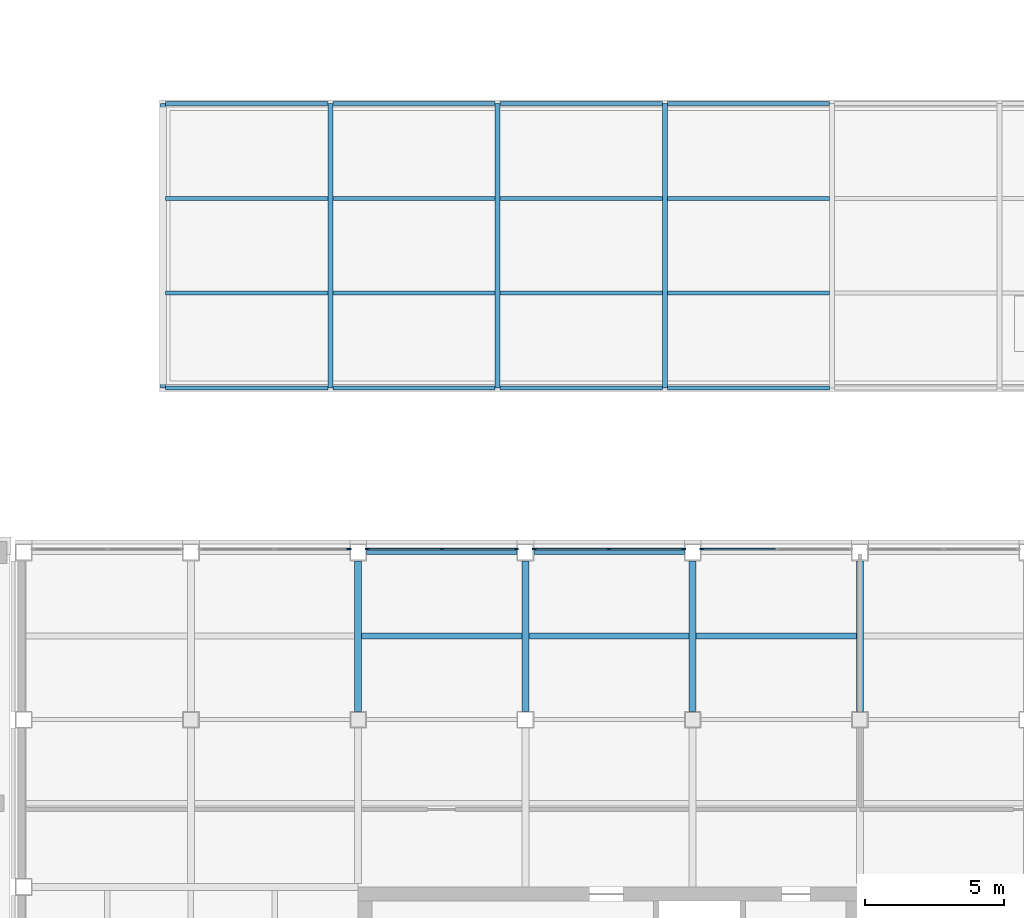
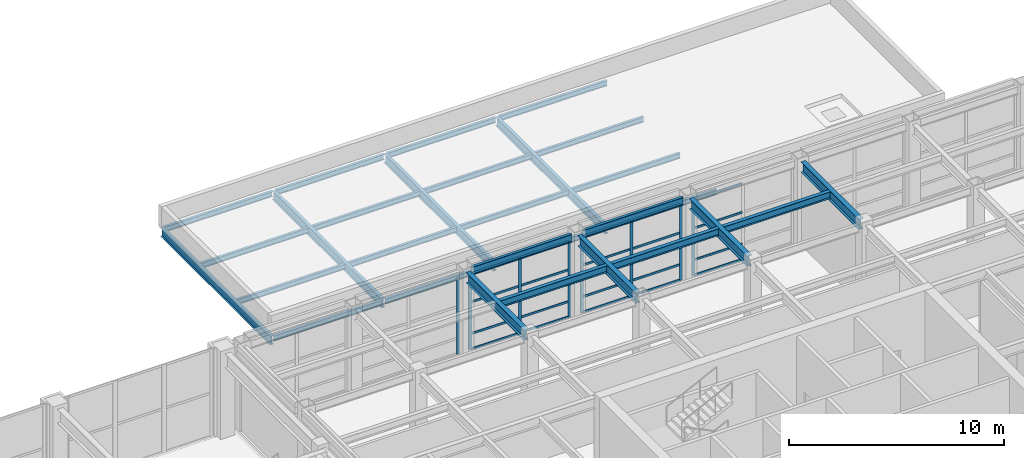
# One storey, part 25 of 67: 29 beams, 28 members, 4 elements without a shape of their own.
"""IFC4 building model written with IfcOpenShell, lengths in metres."""

from ifc_helpers import new_model, si_unit, direction, frame, origin, origin_2d, place, context, subcontext, project, spatial, rectangle, i_section, extrude, material, material_profile, profile_set, type_object, element, aggregate, save


model = new_model("IFC4")

# Units and contexts
model_context = context("Model", 3, precision=1e-05, world=origin(), true_north=direction((0.0, 1.0)))
body_context = subcontext(model_context, "Body", "Model", "MODEL_VIEW")
ifc_project = project(units=[si_unit("LENGTHUNIT", "METRE"), si_unit("AREAUNIT", "SQUARE_METRE"), si_unit("VOLUMEUNIT", "CUBIC_METRE"), si_unit("PLANEANGLEUNIT", "RADIAN"), si_unit("MASSUNIT", "GRAM", prefix="KILO")], contexts=[model_context])

# Site, building, storey
site_placement = place(None, origin())
site = spatial("IfcSite", under=ifc_project, at=site_placement, CompositionType="ELEMENT")
building_placement = place(site_placement, origin())
building = spatial("IfcBuilding", under=site, at=building_placement, Name="Aravalli Gate Trade Fair Centre", CompositionType="ELEMENT")
storey_placement = place(building_placement, frame((0.0, 0.0, 5.0)))
storey = spatial("IfcBuildingStorey", under=building, at=storey_placement, Name="L01", CompositionType="ELEMENT", Elevation=5.0)

# Beams
ifc_material_1 = material(Name="Steel E350", Category="steel")
ifc_material_profile_1 = material_profile(ifc_material_1, i_section(OverallWidth=0.179931640625, OverallDepth=0.5, WebThickness=0.01025390625, FlangeThickness=0.01708984375, at=origin_2d()), Name="ISMB 500")
ifc_profile_set_1 = profile_set([ifc_material_profile_1], Name="Steel E350")
beam_type_1 = type_object("IfcBeamType", Name="Pavilion roof girder ISMB 500", PredefinedType="BEAM", material=ifc_profile_set_1)
for number, where, z_axis, x_axis, name in (
    (1, (165.0, 138.89990234375, -0.39990234375), (0.0, 1.0, 0.0), (-1.0, 0.0, 0.0), "Pavilion roof girder 1"),
    (2, (171.0, 138.89990234375, -0.39990234375), (0.0, 1.0, 0.0), (-1.0, 0.0, 0.0), "Pavilion roof girder 2"),
    (3, (177.0, 138.89990234375, -0.39990234375), (0.0, 1.0, 0.0), (-1.0, 0.0, 0.0), "Pavilion roof girder 3"),
    (4, (183.0, 138.89990234375, -0.39990234375), (0.0, 1.0, 0.0), (-1.0, 0.0, 0.0), "Pavilion roof girder 4"),
):
    element("IfcBeam", number, at=place(storey_placement, frame(where, z_axis=z_axis, x_axis=x_axis)), inside=storey, type_object=beam_type_1, Name=name, PredefinedType="BEAM", context=body_context, shape_type="SweptSolid", body=[
        extrude(i_section(OverallWidth=0.179931640625, OverallDepth=0.5, WebThickness=0.01025390625, FlangeThickness=0.01708984375, at=origin_2d()), origin(), (0.0, 0.0, 1.0), 10.2001953125),
    ])
ifc_material_profile_2 = material_profile(ifc_material_1, i_section(OverallWidth=0.139892578125, OverallDepth=0.300048828125, WebThickness=0.0078125, FlangeThickness=0.01318359375, at=origin_2d()), Name="ISMB 300")
ifc_profile_set_2 = profile_set([ifc_material_profile_2], Name="Steel E350")
beam_type_2 = type_object("IfcBeamType", Name="Pavilion roof joist ISMB 300", PredefinedType="BEAM", material=ifc_profile_set_2)
for number, where, z_axis, x_axis, name in (
    (5, (165.090087890625, 138.89990234375, -0.300048828125), (1.0, 0.0, 0.0), (0.0, 1.0, 0.0), "Pavilion roof joist 1.1"),
    (6, (171.090087890625, 138.89990234375, -0.300048828125), (1.0, 0.0, 0.0), (0.0, 1.0, 0.0), "Pavilion roof joist 1.2"),
    (7, (177.090087890625, 138.89990234375, -0.300048828125), (1.0, 0.0, 0.0), (0.0, 1.0, 0.0), "Pavilion roof joist 1.3"),
    (8, (183.090087890625, 138.89990234375, -0.300048828125), (1.0, 0.0, 0.0), (0.0, 1.0, 0.0), "Pavilion roof joist 1.4"),
    (9, (165.090087890625, 142.300048828125, -0.300048828125), (1.0, 0.0, 0.0), (0.0, 1.0, 0.0), "Pavilion roof joist 2.1"),
    (10, (171.090087890625, 142.300048828125, -0.300048828125), (1.0, 0.0, 0.0), (0.0, 1.0, 0.0), "Pavilion roof joist 2.2"),
    (11, (177.090087890625, 142.300048828125, -0.300048828125), (1.0, 0.0, 0.0), (0.0, 1.0, 0.0), "Pavilion roof joist 2.3"),
    (12, (183.090087890625, 142.300048828125, -0.300048828125), (1.0, 0.0, 0.0), (0.0, 1.0, 0.0), "Pavilion roof joist 2.4"),
    (13, (165.090087890625, 145.699951171875, -0.300048828125), (1.0, 0.0, 0.0), (0.0, 1.0, 0.0), "Pavilion roof joist 3.1"),
    (14, (171.090087890625, 145.699951171875, -0.300048828125), (1.0, 0.0, 0.0), (0.0, 1.0, 0.0), "Pavilion roof joist 3.2"),
    (15, (177.090087890625, 145.699951171875, -0.300048828125), (1.0, 0.0, 0.0), (0.0, 1.0, 0.0), "Pavilion roof joist 3.3"),
    (16, (183.090087890625, 145.699951171875, -0.300048828125), (1.0, 0.0, 0.0), (0.0, 1.0, 0.0), "Pavilion roof joist 3.4"),
    (17, (165.090087890625, 149.10009765625, -0.300048828125), (1.0, 0.0, 0.0), (0.0, 1.0, 0.0), "Pavilion roof joist 4.1"),
    (18, (171.090087890625, 149.10009765625, -0.300048828125), (1.0, 0.0, 0.0), (0.0, 1.0, 0.0), "Pavilion roof joist 4.2"),
    (19, (177.090087890625, 149.10009765625, -0.300048828125), (1.0, 0.0, 0.0), (0.0, 1.0, 0.0), "Pavilion roof joist 4.3"),
    (20, (183.090087890625, 149.10009765625, -0.300048828125), (1.0, 0.0, 0.0), (0.0, 1.0, 0.0), "Pavilion roof joist 4.4"),
):
    element("IfcBeam", number, at=place(storey_placement, frame(where, z_axis=z_axis, x_axis=x_axis)), inside=storey, type_object=beam_type_2, Name=name, PredefinedType="BEAM", context=body_context, shape_type="SweptSolid", body=[
        extrude(i_section(OverallWidth=0.139892578125, OverallDepth=0.300048828125, WebThickness=0.0078125, FlangeThickness=0.01318359375, at=origin_2d()), origin(), (0.0, 0.0, 1.0), 5.81982421875),
    ])
ifc_material_profile_3 = material_profile(ifc_material_1, i_section(OverallWidth=0.25, OverallDepth=0.60009765625, WebThickness=0.01123046875, FlangeThickness=0.021240234375, at=origin_2d()), Name="ISWB 600")
ifc_profile_set_3 = profile_set([ifc_material_profile_3], Name="Steel E350")
beam_type_3 = type_object("IfcBeamType", Name="Wing core to perimeter girder ISWB 600 (podium floors)", PredefinedType="BEAM", material=ifc_profile_set_3)
for number, where, z_axis, x_axis, name in (
    (21, (172.0, 127.300048828125, 4.5), (0.0, 1.0, 0.0), (-1.0, 0.0, 0.0), "Core to perimeter girder PN0b L02"),
    (22, (178.0, 127.300048828125, 4.5), (0.0, 1.0, 0.0), (-1.0, 0.0, 0.0), "Core to perimeter girder PN1b L02"),
    (23, (184.0, 127.300048828125, 4.5), (0.0, 1.0, 0.0), (-1.0, 0.0, 0.0), "Core to perimeter girder PN2b L02"),
    (24, (190.0, 127.300048828125, 4.5), (0.0, 1.0, 0.0), (-1.0, 0.0, 0.0), "Core to perimeter girder PN3b L02"),
):
    element("IfcBeam", number, at=place(storey_placement, frame(where, z_axis=z_axis, x_axis=x_axis)), inside=storey, type_object=beam_type_3, Name=name, PredefinedType="BEAM", context=body_context, shape_type="SweptSolid", body=[
        extrude(i_section(OverallWidth=0.25, OverallDepth=0.60009765625, WebThickness=0.01123046875, FlangeThickness=0.021240234375, at=origin_2d()), origin(), (0.0, 0.0, 1.0), 5.39990234375),
    ])

# Curtain wall, member
ifc_material_2 = material(Name="Aluminium and glass", Category="aluminium")
curtain_wall_type = type_object("IfcCurtainWallType", Name="Wing curtain wall", PredefinedType="NOTDEFINED", material=ifc_material_2)
curtain_wall_1_placement = place(storey_placement, origin())
curtain_wall_1 = element("IfcCurtainWall", 25, at=curtain_wall_1_placement, inside=storey, type_object=curtain_wall_type, Name="Curtain wall N1 L01", PredefinedType="NOTDEFINED")
ifc_material_3 = material(Name="Aluminium", Category="aluminium")
ifc_material_profile_4 = material_profile(ifc_material_3, rectangle(XDim=0.06005859375, YDim=0.159912109375, at=origin_2d()), Name="Wing curtain wall mullion 60 x 160")
ifc_profile_set_4 = profile_set([ifc_material_profile_4], Name="Aluminium")
member_type_1 = type_object("IfcMemberType", Name="Wing curtain wall mullion 60 x 160", PredefinedType="MULLION", material=ifc_profile_set_4)
member_1_placement = place(storey_placement, frame((171.669921875, 133.125, 0.0), z_axis=(0.0, 0.0, 1.0), x_axis=(0.0, 1.0, 0.0)))
member_1 = element("IfcMember", 26, at=member_1_placement, type_object=member_type_1, Name="TCW1 mullion 3", PredefinedType="MULLION", context=body_context, shape_type="SweptSolid", body=[
    extrude(rectangle(XDim=0.06005859375, YDim=0.159912109375, at=origin_2d()), origin(), (0.0, 0.0, 1.0), 4.35009765625),
])
aggregate(curtain_wall_1, [member_1])

# Curtain wall, members
curtain_wall_2_placement = place(storey_placement, origin())
curtain_wall_2 = element("IfcCurtainWall", 27, at=curtain_wall_2_placement, inside=storey, type_object=curtain_wall_type, Name="Curtain wall N2 L01", PredefinedType="NOTDEFINED")
member_2_placement = place(storey_placement, frame((172.330078125, 133.125, 0.0), z_axis=(0.0, 0.0, 1.0), x_axis=(0.0, 1.0, 0.0)))
member_2 = element("IfcMember", 28, at=member_2_placement, type_object=member_type_1, Name="TCW1 mullion 1", PredefinedType="MULLION", context=body_context, shape_type="SweptSolid", body=[
    extrude(rectangle(XDim=0.06005859375, YDim=0.159912109375, at=origin_2d()), origin(), (0.0, 0.0, 1.0), 4.35009765625),
])
member_3_placement = place(storey_placement, frame((175.0, 133.125, 0.0), z_axis=(0.0, 0.0, 1.0), x_axis=(0.0, 1.0, 0.0)))
member_3 = element("IfcMember", 29, at=member_3_placement, type_object=member_type_1, Name="TCW1 mullion 2", PredefinedType="MULLION", context=body_context, shape_type="SweptSolid", body=[
    extrude(rectangle(XDim=0.06005859375, YDim=0.159912109375, at=origin_2d()), origin(), (0.0, 0.0, 1.0), 4.35009765625),
])
member_4_placement = place(storey_placement, frame((177.669921875, 133.125, 0.0), z_axis=(0.0, 0.0, 1.0), x_axis=(0.0, 1.0, 0.0)))
member_4 = element("IfcMember", 30, at=member_4_placement, type_object=member_type_1, Name="TCW1 mullion 3", PredefinedType="MULLION", context=body_context, shape_type="SweptSolid", body=[
    extrude(rectangle(XDim=0.06005859375, YDim=0.159912109375, at=origin_2d()), origin(), (0.0, 0.0, 1.0), 4.35009765625),
])

curtain_wall_3_placement = place(storey_placement, origin())
curtain_wall_3 = element("IfcCurtainWall", 31, at=curtain_wall_3_placement, inside=storey, type_object=curtain_wall_type, Name="Curtain wall N3 L01", PredefinedType="NOTDEFINED")
member_5_placement = place(storey_placement, frame((178.330078125, 133.125, 0.0), z_axis=(0.0, 0.0, 1.0), x_axis=(0.0, 1.0, 0.0)))
member_5 = element("IfcMember", 32, at=member_5_placement, type_object=member_type_1, Name="TCW1 mullion 1", PredefinedType="MULLION", context=body_context, shape_type="SweptSolid", body=[
    extrude(rectangle(XDim=0.06005859375, YDim=0.159912109375, at=origin_2d()), origin(), (0.0, 0.0, 1.0), 4.35009765625),
])
member_6_placement = place(storey_placement, frame((181.0, 133.125, 0.0), z_axis=(0.0, 0.0, 1.0), x_axis=(0.0, 1.0, 0.0)))
member_6 = element("IfcMember", 33, at=member_6_placement, type_object=member_type_1, Name="TCW1 mullion 2", PredefinedType="MULLION", context=body_context, shape_type="SweptSolid", body=[
    extrude(rectangle(XDim=0.06005859375, YDim=0.159912109375, at=origin_2d()), origin(), (0.0, 0.0, 1.0), 4.35009765625),
])
member_7_placement = place(storey_placement, frame((183.669921875, 133.125, 0.0), z_axis=(0.0, 0.0, 1.0), x_axis=(0.0, 1.0, 0.0)))
member_7 = element("IfcMember", 34, at=member_7_placement, type_object=member_type_1, Name="TCW1 mullion 3", PredefinedType="MULLION", context=body_context, shape_type="SweptSolid", body=[
    extrude(rectangle(XDim=0.06005859375, YDim=0.159912109375, at=origin_2d()), origin(), (0.0, 0.0, 1.0), 4.35009765625),
])

# Curtain wall, member
curtain_wall_4_placement = place(storey_placement, origin())
curtain_wall_4 = element("IfcCurtainWall", 35, at=curtain_wall_4_placement, inside=storey, type_object=curtain_wall_type, Name="Curtain wall N4 L01", PredefinedType="NOTDEFINED")
member_8_placement = place(storey_placement, frame((184.330078125, 133.125, 0.0), z_axis=(0.0, 0.0, 1.0), x_axis=(0.0, 1.0, 0.0)))
member_8 = element("IfcMember", 36, at=member_8_placement, type_object=member_type_1, Name="TCW1 mullion 1", PredefinedType="MULLION", context=body_context, shape_type="SweptSolid", body=[
    extrude(rectangle(XDim=0.06005859375, YDim=0.159912109375, at=origin_2d()), origin(), (0.0, 0.0, 1.0), 4.35009765625),
])

# Member
ifc_material_profile_5 = material_profile(ifc_material_3, rectangle(XDim=0.06005859375, YDim=0.1201171875, at=origin_2d()), Name="Wing curtain wall transom 60 x 120")
ifc_profile_set_5 = profile_set([ifc_material_profile_5], Name="Aluminium")
member_type_2 = type_object("IfcMemberType", Name="Wing curtain wall transom 60 x 120", PredefinedType="USERDEFINED", material=ifc_profile_set_5)
member_9_placement = place(storey_placement, frame((172.360107421875, 133.125, 0.030029296875), z_axis=(1.0, 0.0, 0.0), x_axis=(0.0, 1.0, 0.0)))
member_9 = element("IfcMember", 37, at=member_9_placement, type_object=member_type_2, Name="TCW1 transom 1.1", ObjectType="TRANSOM", PredefinedType="USERDEFINED", context=body_context, shape_type="SweptSolid", body=[
    extrude(rectangle(XDim=0.06005859375, YDim=0.1201171875, at=origin_2d()), origin(), (0.0, 0.0, 1.0), 2.60986328125),
])

member_10_placement = place(storey_placement, frame((172.360107421875, 133.125, 0.89990234375), z_axis=(1.0, 0.0, 0.0), x_axis=(0.0, 1.0, 0.0)))
member_10 = element("IfcMember", 38, at=member_10_placement, type_object=member_type_2, Name="TCW1 transom 1.2", ObjectType="TRANSOM", PredefinedType="USERDEFINED", context=body_context, shape_type="SweptSolid", body=[
    extrude(rectangle(XDim=0.06005859375, YDim=0.1201171875, at=origin_2d()), origin(), (0.0, 0.0, 1.0), 2.60986328125),
])

member_11_placement = place(storey_placement, frame((172.360107421875, 133.125, 2.699951171875), z_axis=(1.0, 0.0, 0.0), x_axis=(0.0, 1.0, 0.0)))
member_11 = element("IfcMember", 39, at=member_11_placement, type_object=member_type_2, Name="TCW1 transom 1.3", ObjectType="TRANSOM", PredefinedType="USERDEFINED", context=body_context, shape_type="SweptSolid", body=[
    extrude(rectangle(XDim=0.06005859375, YDim=0.1201171875, at=origin_2d()), origin(), (0.0, 0.0, 1.0), 2.60986328125),
])

member_12_placement = place(storey_placement, frame((172.360107421875, 133.125, 4.320068359375), z_axis=(1.0, 0.0, 0.0), x_axis=(0.0, 1.0, 0.0)))
member_12 = element("IfcMember", 40, at=member_12_placement, type_object=member_type_2, Name="TCW1 transom 1.4", ObjectType="TRANSOM", PredefinedType="USERDEFINED", context=body_context, shape_type="SweptSolid", body=[
    extrude(rectangle(XDim=0.06005859375, YDim=0.1201171875, at=origin_2d()), origin(), (0.0, 0.0, 1.0), 2.60986328125),
])

member_13_placement = place(storey_placement, frame((175.030029296875, 133.125, 0.030029296875), z_axis=(1.0, 0.0, 0.0), x_axis=(0.0, 1.0, 0.0)))
member_13 = element("IfcMember", 41, at=member_13_placement, type_object=member_type_2, Name="TCW1 transom 2.1", ObjectType="TRANSOM", PredefinedType="USERDEFINED", context=body_context, shape_type="SweptSolid", body=[
    extrude(rectangle(XDim=0.06005859375, YDim=0.1201171875, at=origin_2d()), origin(), (0.0, 0.0, 1.0), 2.60986328125),
])

member_14_placement = place(storey_placement, frame((175.030029296875, 133.125, 0.89990234375), z_axis=(1.0, 0.0, 0.0), x_axis=(0.0, 1.0, 0.0)))
member_14 = element("IfcMember", 42, at=member_14_placement, type_object=member_type_2, Name="TCW1 transom 2.2", ObjectType="TRANSOM", PredefinedType="USERDEFINED", context=body_context, shape_type="SweptSolid", body=[
    extrude(rectangle(XDim=0.06005859375, YDim=0.1201171875, at=origin_2d()), origin(), (0.0, 0.0, 1.0), 2.60986328125),
])

member_15_placement = place(storey_placement, frame((175.030029296875, 133.125, 2.699951171875), z_axis=(1.0, 0.0, 0.0), x_axis=(0.0, 1.0, 0.0)))
member_15 = element("IfcMember", 43, at=member_15_placement, type_object=member_type_2, Name="TCW1 transom 2.3", ObjectType="TRANSOM", PredefinedType="USERDEFINED", context=body_context, shape_type="SweptSolid", body=[
    extrude(rectangle(XDim=0.06005859375, YDim=0.1201171875, at=origin_2d()), origin(), (0.0, 0.0, 1.0), 2.60986328125),
])

member_16_placement = place(storey_placement, frame((175.030029296875, 133.125, 4.320068359375), z_axis=(1.0, 0.0, 0.0), x_axis=(0.0, 1.0, 0.0)))
member_16 = element("IfcMember", 44, at=member_16_placement, type_object=member_type_2, Name="TCW1 transom 2.4", ObjectType="TRANSOM", PredefinedType="USERDEFINED", context=body_context, shape_type="SweptSolid", body=[
    extrude(rectangle(XDim=0.06005859375, YDim=0.1201171875, at=origin_2d()), origin(), (0.0, 0.0, 1.0), 2.60986328125),
])

aggregate(curtain_wall_2, [member_2, member_3, member_4, member_9, member_10, member_11, member_12, member_13, member_14, member_15, member_16])

member_17_placement = place(storey_placement, frame((178.360107421875, 133.125, 0.030029296875), z_axis=(1.0, 0.0, 0.0), x_axis=(0.0, 1.0, 0.0)))
member_17 = element("IfcMember", 45, at=member_17_placement, type_object=member_type_2, Name="TCW1 transom 1.1", ObjectType="TRANSOM", PredefinedType="USERDEFINED", context=body_context, shape_type="SweptSolid", body=[
    extrude(rectangle(XDim=0.06005859375, YDim=0.1201171875, at=origin_2d()), origin(), (0.0, 0.0, 1.0), 2.60986328125),
])

member_18_placement = place(storey_placement, frame((178.360107421875, 133.125, 0.89990234375), z_axis=(1.0, 0.0, 0.0), x_axis=(0.0, 1.0, 0.0)))
member_18 = element("IfcMember", 46, at=member_18_placement, type_object=member_type_2, Name="TCW1 transom 1.2", ObjectType="TRANSOM", PredefinedType="USERDEFINED", context=body_context, shape_type="SweptSolid", body=[
    extrude(rectangle(XDim=0.06005859375, YDim=0.1201171875, at=origin_2d()), origin(), (0.0, 0.0, 1.0), 2.60986328125),
])

member_19_placement = place(storey_placement, frame((178.360107421875, 133.125, 2.699951171875), z_axis=(1.0, 0.0, 0.0), x_axis=(0.0, 1.0, 0.0)))
member_19 = element("IfcMember", 47, at=member_19_placement, type_object=member_type_2, Name="TCW1 transom 1.3", ObjectType="TRANSOM", PredefinedType="USERDEFINED", context=body_context, shape_type="SweptSolid", body=[
    extrude(rectangle(XDim=0.06005859375, YDim=0.1201171875, at=origin_2d()), origin(), (0.0, 0.0, 1.0), 2.60986328125),
])

member_20_placement = place(storey_placement, frame((178.360107421875, 133.125, 4.320068359375), z_axis=(1.0, 0.0, 0.0), x_axis=(0.0, 1.0, 0.0)))
member_20 = element("IfcMember", 48, at=member_20_placement, type_object=member_type_2, Name="TCW1 transom 1.4", ObjectType="TRANSOM", PredefinedType="USERDEFINED", context=body_context, shape_type="SweptSolid", body=[
    extrude(rectangle(XDim=0.06005859375, YDim=0.1201171875, at=origin_2d()), origin(), (0.0, 0.0, 1.0), 2.60986328125),
])

member_21_placement = place(storey_placement, frame((181.030029296875, 133.125, 0.030029296875), z_axis=(1.0, 0.0, 0.0), x_axis=(0.0, 1.0, 0.0)))
member_21 = element("IfcMember", 49, at=member_21_placement, type_object=member_type_2, Name="TCW1 transom 2.1", ObjectType="TRANSOM", PredefinedType="USERDEFINED", context=body_context, shape_type="SweptSolid", body=[
    extrude(rectangle(XDim=0.06005859375, YDim=0.1201171875, at=origin_2d()), origin(), (0.0, 0.0, 1.0), 2.60986328125),
])

member_22_placement = place(storey_placement, frame((181.030029296875, 133.125, 0.89990234375), z_axis=(1.0, 0.0, 0.0), x_axis=(0.0, 1.0, 0.0)))
member_22 = element("IfcMember", 50, at=member_22_placement, type_object=member_type_2, Name="TCW1 transom 2.2", ObjectType="TRANSOM", PredefinedType="USERDEFINED", context=body_context, shape_type="SweptSolid", body=[
    extrude(rectangle(XDim=0.06005859375, YDim=0.1201171875, at=origin_2d()), origin(), (0.0, 0.0, 1.0), 2.60986328125),
])

member_23_placement = place(storey_placement, frame((181.030029296875, 133.125, 2.699951171875), z_axis=(1.0, 0.0, 0.0), x_axis=(0.0, 1.0, 0.0)))
member_23 = element("IfcMember", 51, at=member_23_placement, type_object=member_type_2, Name="TCW1 transom 2.3", ObjectType="TRANSOM", PredefinedType="USERDEFINED", context=body_context, shape_type="SweptSolid", body=[
    extrude(rectangle(XDim=0.06005859375, YDim=0.1201171875, at=origin_2d()), origin(), (0.0, 0.0, 1.0), 2.60986328125),
])

member_24_placement = place(storey_placement, frame((181.030029296875, 133.125, 4.320068359375), z_axis=(1.0, 0.0, 0.0), x_axis=(0.0, 1.0, 0.0)))
member_24 = element("IfcMember", 52, at=member_24_placement, type_object=member_type_2, Name="TCW1 transom 2.4", ObjectType="TRANSOM", PredefinedType="USERDEFINED", context=body_context, shape_type="SweptSolid", body=[
    extrude(rectangle(XDim=0.06005859375, YDim=0.1201171875, at=origin_2d()), origin(), (0.0, 0.0, 1.0), 2.60986328125),
])

aggregate(curtain_wall_3, [member_5, member_6, member_7, member_17, member_18, member_19, member_20, member_21, member_22, member_23, member_24])

member_25_placement = place(storey_placement, frame((184.360107421875, 133.125, 0.030029296875), z_axis=(1.0, 0.0, 0.0), x_axis=(0.0, 1.0, 0.0)))
member_25 = element("IfcMember", 53, at=member_25_placement, type_object=member_type_2, Name="TCW1 transom 1.1", ObjectType="TRANSOM", PredefinedType="USERDEFINED", context=body_context, shape_type="SweptSolid", body=[
    extrude(rectangle(XDim=0.06005859375, YDim=0.1201171875, at=origin_2d()), origin(), (0.0, 0.0, 1.0), 2.60986328125),
])

member_26_placement = place(storey_placement, frame((184.360107421875, 133.125, 0.89990234375), z_axis=(1.0, 0.0, 0.0), x_axis=(0.0, 1.0, 0.0)))
member_26 = element("IfcMember", 54, at=member_26_placement, type_object=member_type_2, Name="TCW1 transom 1.2", ObjectType="TRANSOM", PredefinedType="USERDEFINED", context=body_context, shape_type="SweptSolid", body=[
    extrude(rectangle(XDim=0.06005859375, YDim=0.1201171875, at=origin_2d()), origin(), (0.0, 0.0, 1.0), 2.60986328125),
])

member_27_placement = place(storey_placement, frame((184.360107421875, 133.125, 2.699951171875), z_axis=(1.0, 0.0, 0.0), x_axis=(0.0, 1.0, 0.0)))
member_27 = element("IfcMember", 55, at=member_27_placement, type_object=member_type_2, Name="TCW1 transom 1.3", ObjectType="TRANSOM", PredefinedType="USERDEFINED", context=body_context, shape_type="SweptSolid", body=[
    extrude(rectangle(XDim=0.06005859375, YDim=0.1201171875, at=origin_2d()), origin(), (0.0, 0.0, 1.0), 2.60986328125),
])

member_28_placement = place(storey_placement, frame((184.360107421875, 133.125, 4.320068359375), z_axis=(1.0, 0.0, 0.0), x_axis=(0.0, 1.0, 0.0)))
member_28 = element("IfcMember", 56, at=member_28_placement, type_object=member_type_2, Name="TCW1 transom 1.4", ObjectType="TRANSOM", PredefinedType="USERDEFINED", context=body_context, shape_type="SweptSolid", body=[
    extrude(rectangle(XDim=0.06005859375, YDim=0.1201171875, at=origin_2d()), origin(), (0.0, 0.0, 1.0), 2.60986328125),
])

aggregate(curtain_wall_4, [member_8, member_25, member_26, member_27, member_28])

# Beams
ifc_material_profile_6 = material_profile(ifc_material_1, i_section(OverallWidth=0.14990234375, OverallDepth=0.449951171875, WebThickness=0.009521484375, FlangeThickness=0.017333984375, at=origin_2d()), Name="ISMB 450")
ifc_profile_set_6 = profile_set([ifc_material_profile_6], Name="Steel E350")
beam_type_4 = type_object("IfcBeamType", Name="Wing perimeter beam ISMB 450 (podium floors)", PredefinedType="BEAM", material=ifc_profile_set_6)
for number, where, z_axis, x_axis, name in (
    (57, (172.300048828125, 133.0, 4.574951171875), (1.0, 0.0, 0.0), (0.0, 1.0, 0.0), "Perimeter beam EN2 L02"),
    (58, (178.300048828125, 133.0, 4.574951171875), (1.0, 0.0, 0.0), (0.0, 1.0, 0.0), "Perimeter beam EN3 L02"),
):
    element("IfcBeam", number, at=place(storey_placement, frame(where, z_axis=z_axis, x_axis=x_axis)), inside=storey, type_object=beam_type_4, Name=name, PredefinedType="BEAM", context=body_context, shape_type="SweptSolid", body=[
        extrude(i_section(OverallWidth=0.14990234375, OverallDepth=0.449951171875, WebThickness=0.009521484375, FlangeThickness=0.017333984375, at=origin_2d()), origin(), (0.0, 0.0, 1.0), 5.39990234375),
    ])
ifc_material_profile_7 = material_profile(ifc_material_1, i_section(OverallWidth=0.199951171875, OverallDepth=0.39990234375, WebThickness=0.008544921875, FlangeThickness=0.012939453125, at=origin_2d()), Name="ISWB 400")
ifc_profile_set_7 = profile_set([ifc_material_profile_7], Name="Steel E350")
beam_type_5 = type_object("IfcBeamType", Name="Wing secondary beam ISWB 400 (podium floors)", PredefinedType="BEAM", material=ifc_profile_set_7)
for number, where, z_axis, x_axis, name in (
    (59, (172.125, 130.0, 4.60009765625), (1.0, 0.0, 0.0), (0.0, 1.0, 0.0), "Secondary beam BN0130 L02"),
    (60, (178.125, 130.0, 4.60009765625), (1.0, 0.0, 0.0), (0.0, 1.0, 0.0), "Secondary beam BN1130 L02"),
    (61, (184.125, 130.0, 4.60009765625), (1.0, 0.0, 0.0), (0.0, 1.0, 0.0), "Secondary beam BN2130 L02"),
):
    element("IfcBeam", number, at=place(storey_placement, frame(where, z_axis=z_axis, x_axis=x_axis)), inside=storey, type_object=beam_type_5, Name=name, PredefinedType="BEAM", context=body_context, shape_type="SweptSolid", body=[
        extrude(i_section(OverallWidth=0.199951171875, OverallDepth=0.39990234375, WebThickness=0.008544921875, FlangeThickness=0.012939453125, at=origin_2d()), origin(), (0.0, 0.0, 1.0), 5.75),
    ])

save(model, "model.ifc")
